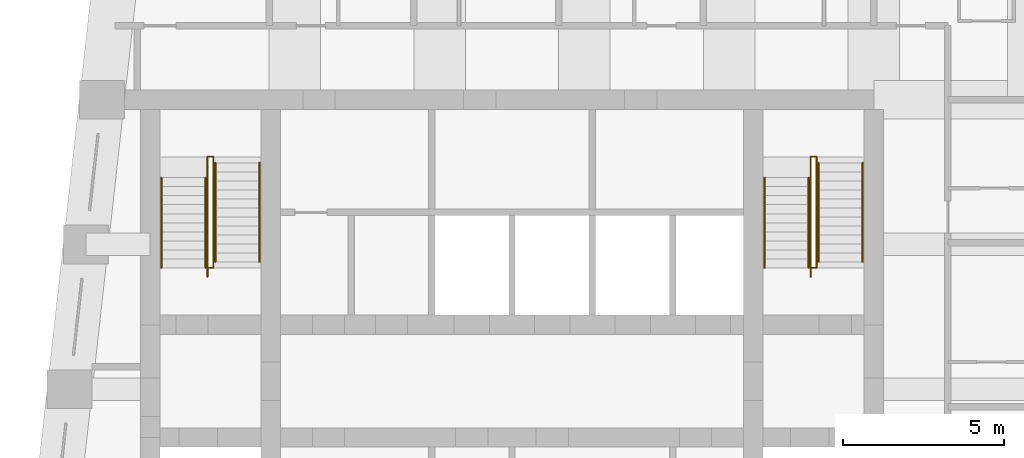
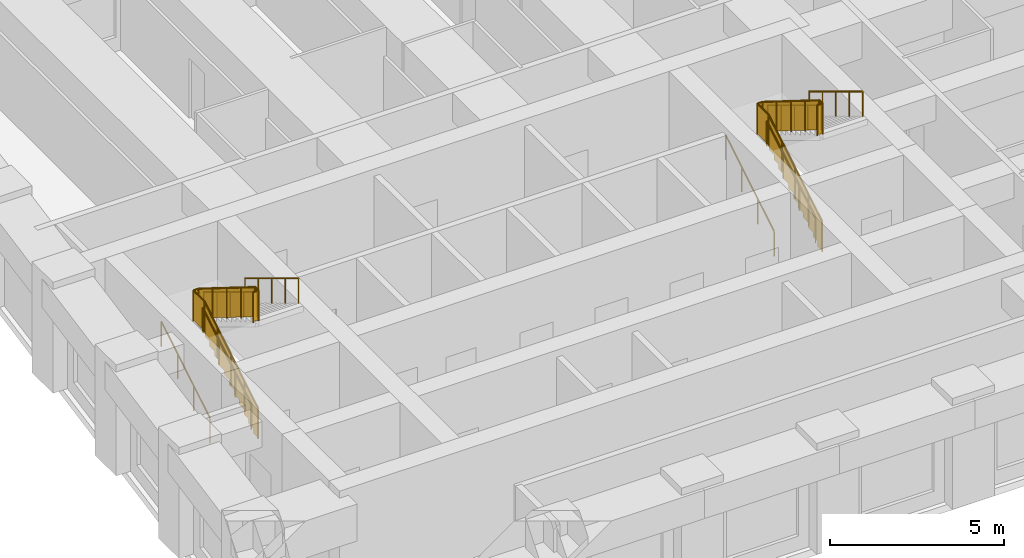
# One storey, part 7 of 7: 12 railings.
"""IFC4 building model written with IfcOpenShell, lengths in metres."""

from ifc_helpers import new_model, si_unit, direction, frame, origin, origin_2d, place, context, subcontext, project, spatial, polyline, circle, outline, extrude, material, type_object, element, save


model = new_model("IFC4")

# Units and contexts
model_context = context("Model", 3, precision=1e-05, world=origin(), true_north=direction((0.0, 1.0)))
body_context = subcontext(model_context, "Body", "Model", "MODEL_VIEW")
ifc_project = project(units=[si_unit("LENGTHUNIT", "METRE"), si_unit("AREAUNIT", "SQUARE_METRE"), si_unit("VOLUMEUNIT", "CUBIC_METRE"), si_unit("PLANEANGLEUNIT", "RADIAN"), si_unit("MASSUNIT", "GRAM", prefix="KILO")], contexts=[model_context])

# Site, building, storey
site_placement = place(None, origin())
site = spatial("IfcSite", under=ifc_project, at=site_placement, CompositionType="ELEMENT")
building_placement = place(site_placement, origin())
building = spatial("IfcBuilding", under=site, at=building_placement, Name="Kilele Tower Hotel", CompositionType="ELEMENT")
storey_placement = place(building_placement, frame((0.0, 0.0, 270.199951171875)))
storey = spatial("IfcBuildingStorey", under=building, at=storey_placement, Name="L69", CompositionType="ELEMENT", Elevation=270.199951171875)

# Railings
ifc_material_1 = material(Name="Steel handrail", Category="steel")
railing_type_1 = type_object("IfcRailingType", Name="Handrail 900", PredefinedType="HANDRAIL", material=ifc_material_1)
for number, where, name in (
    (1, (13.85009765625, 21.77490234375, 0.169677734375), "Handrail ST1 flight 1"),
    (2, (15.22509765625, 21.77490234375, 0.169677734375), "Handrail ST1 flight 1"),
):
    element("IfcRailing", number, at=place(storey_placement, frame(where)), inside=storey, type_object=railing_type_1, Name=name, PredefinedType="HANDRAIL", context=body_context, shape_type="SweptSolid", body=[
        extrude(circle(Radius=0.02490234375, at=origin_2d()), frame((0.0, 0.0, 0.875), z_axis=(0.0, 0.855393119324, 0.517979354234), x_axis=(-1.0, 0.0, 0.0)), (0.0, 0.0, 1.0), 3.2734375),
        extrude(circle(Radius=0.02001953125, at=origin_2d()), origin(), (0.0, 0.0, 1.0), 0.849853515625),
        extrude(circle(Radius=0.02001953125, at=origin_2d()), frame((0.0, 0.933349609375, 0.565185546875)), (0.0, 0.0, 1.0), 0.849853515625),
        extrude(circle(Radius=0.02001953125, at=origin_2d()), frame((0.0, 1.86669921875, 1.13037109375)), (0.0, 0.0, 1.0), 0.849853515625),
        extrude(circle(Radius=0.02001953125, at=origin_2d()), frame((0.0, 2.800048828125, 1.695556640625)), (0.0, 0.0, 1.0), 0.849853515625),
    ])
for number, where, name in (
    (3, (15.52490234375, 25.0400390625, 2.034912109375), "Handrail ST1 flight 2"),
    (4, (16.89990234375, 25.0400390625, 2.034912109375), "Handrail ST1 flight 2"),
):
    element("IfcRailing", number, at=place(storey_placement, frame(where)), inside=storey, type_object=railing_type_1, Name=name, PredefinedType="HANDRAIL", context=body_context, shape_type="SweptSolid", body=[
        extrude(circle(Radius=0.02490234375, at=origin_2d()), frame((0.0, 0.0, 0.875), z_axis=(0.0, -0.855379917629, 0.518001154937), x_axis=(1.0, 0.0, 0.0)), (0.0, 0.0, 1.0), 3.600830078125),
        extrude(circle(Radius=0.02001953125, at=origin_2d()), origin(), (0.0, 0.0, 1.0), 0.849853515625),
        extrude(circle(Radius=0.02001953125, at=origin_2d()), frame((0.0, -0.77001953125, 0.46630859375)), (0.0, 0.0, 1.0), 0.849853515625),
        extrude(circle(Radius=0.02001953125, at=origin_2d()), frame((0.0, -1.5400390625, 0.9326171875)), (0.0, 0.0, 1.0), 0.849853515625),
        extrude(circle(Radius=0.02001953125, at=origin_2d()), frame((0.0, -2.31005859375, 1.39892578125)), (0.0, 0.0, 1.0), 0.849853515625),
        extrude(circle(Radius=0.02001953125, at=origin_2d()), frame((0.0, -3.080078125, 1.865234375)), (0.0, 0.0, 1.0), 0.849853515625),
    ])
for number, where, name in (
    (5, (32.60009765625, 21.77490234375, 0.169677734375), "Handrail ST2 flight 1"),
    (6, (33.97509765625, 21.77490234375, 0.169677734375), "Handrail ST2 flight 1"),
):
    element("IfcRailing", number, at=place(storey_placement, frame(where)), inside=storey, type_object=railing_type_1, Name=name, PredefinedType="HANDRAIL", context=body_context, shape_type="SweptSolid", body=[
        extrude(circle(Radius=0.02490234375, at=origin_2d()), frame((0.0, 0.0, 0.875), z_axis=(0.0, 0.855393119324, 0.517979354234), x_axis=(-1.0, 0.0, 0.0)), (0.0, 0.0, 1.0), 3.2734375),
        extrude(circle(Radius=0.02001953125, at=origin_2d()), origin(), (0.0, 0.0, 1.0), 0.849853515625),
        extrude(circle(Radius=0.02001953125, at=origin_2d()), frame((0.0, 0.933349609375, 0.565185546875)), (0.0, 0.0, 1.0), 0.849853515625),
        extrude(circle(Radius=0.02001953125, at=origin_2d()), frame((0.0, 1.86669921875, 1.13037109375)), (0.0, 0.0, 1.0), 0.849853515625),
        extrude(circle(Radius=0.02001953125, at=origin_2d()), frame((0.0, 2.800048828125, 1.695556640625)), (0.0, 0.0, 1.0), 0.849853515625),
    ])
for number, where, name in (
    (7, (34.27490234375, 25.0400390625, 2.034912109375), "Handrail ST2 flight 2"),
    (8, (35.64990234375, 25.0400390625, 2.034912109375), "Handrail ST2 flight 2"),
):
    element("IfcRailing", number, at=place(storey_placement, frame(where)), inside=storey, type_object=railing_type_1, Name=name, PredefinedType="HANDRAIL", context=body_context, shape_type="SweptSolid", body=[
        extrude(circle(Radius=0.02490234375, at=origin_2d()), frame((0.0, 0.0, 0.875), z_axis=(0.0, -0.855379917629, 0.518001154937), x_axis=(1.0, 0.0, 0.0)), (0.0, 0.0, 1.0), 3.600830078125),
        extrude(circle(Radius=0.02001953125, at=origin_2d()), origin(), (0.0, 0.0, 1.0), 0.849853515625),
        extrude(circle(Radius=0.02001953125, at=origin_2d()), frame((0.0, -0.77001953125, 0.46630859375)), (0.0, 0.0, 1.0), 0.849853515625),
        extrude(circle(Radius=0.02001953125, at=origin_2d()), frame((0.0, -1.5400390625, 0.9326171875)), (0.0, 0.0, 1.0), 0.849853515625),
        extrude(circle(Radius=0.02001953125, at=origin_2d()), frame((0.0, -2.31005859375, 1.39892578125)), (0.0, 0.0, 1.0), 0.849853515625),
        extrude(circle(Radius=0.02001953125, at=origin_2d()), frame((0.0, -3.080078125, 1.865234375)), (0.0, 0.0, 1.0), 0.849853515625),
    ])
ifc_material_2 = material(Name="Steel guard", Category="steel")
railing_type_2 = type_object("IfcRailingType", Name="Stair guard 1100", PredefinedType="GUARDRAIL", material=ifc_material_2)
railing_1_placement = place(storey_placement, frame((15.284912109375, 21.4951171875, 0.0)))
element("IfcRailing", 9, at=railing_1_placement, inside=storey, type_object=railing_type_2, Name="Stair well guard ST1 flight 1", PredefinedType="GUARDRAIL", context=body_context, shape_type="SweptSolid", body=[
    extrude(circle(Radius=0.02490234375, at=origin_2d()), frame((0.0, 0.0, 1.0751953125), z_axis=(0.0, 0.855361723277, 0.518031198243), x_axis=(-1.0, 0.0, 0.0)), (0.0, 0.0, 1.0), 3.6005859375),
    extrude(circle(Radius=0.02490234375, at=origin_2d()), frame((0.0, 3.079833984375, 2.9404296875), z_axis=(0.0, 1.0, 0.0), x_axis=(-1.0, 0.0, 0.0)), (0.0, 0.0, 1.0), 0.650146484375),
    extrude(circle(Radius=0.02490234375, at=origin_2d()), frame((0.0, 3.72998046875, 2.9404296875), z_axis=(1.0, 0.0, 0.0), x_axis=(0.0, 1.0, 0.0)), (0.0, 0.0, 1.0), 0.18017578125),
    extrude(circle(Radius=0.02490234375, at=origin_2d()), origin(), (0.0, 0.0, 1.0), 1.050048828125),
    extrude(circle(Radius=0.02490234375, at=origin_2d()), frame((0.0, 0.77001953125, 0.46630859375)), (0.0, 0.0, 1.0), 1.050048828125),
    extrude(circle(Radius=0.02490234375, at=origin_2d()), frame((0.0, 1.5400390625, 0.9326171875)), (0.0, 0.0, 1.0), 1.050048828125),
    extrude(circle(Radius=0.02490234375, at=origin_2d()), frame((0.0, 2.309814453125, 1.39892578125)), (0.0, 0.0, 1.0), 1.050048828125),
    extrude(circle(Radius=0.02490234375, at=origin_2d()), frame((0.0, 3.079833984375, 1.865234375)), (0.0, 0.0, 1.0), 1.050048828125),
    extrude(circle(Radius=0.02490234375, at=origin_2d()), frame((0.0, 3.72998046875, 1.865234375)), (0.0, 0.0, 1.0), 1.050048828125),
    extrude(circle(Radius=0.02490234375, at=origin_2d()), frame((0.18017578125, 3.72998046875, 1.865234375)), (0.0, 0.0, 1.0), 1.050048828125),
    extrude(outline(polyline([(0.012451171875, 0.030029296875), (0.25, 0.030029296875), (0.25, 0.19970703125), (0.530029296875, 0.19970703125), (0.530029296875, 0.369140625), (0.809814453125, 0.369140625), (0.809814453125, 0.538818359375), (1.08984375, 0.538818359375), (1.08984375, 0.708251953125), (1.369873046875, 0.708251953125), (1.369873046875, 0.8779296875), (1.64990234375, 0.8779296875), (1.64990234375, 1.04736328125), (1.929931640625, 1.04736328125), (1.929931640625, 1.217041015625), (2.2099609375, 1.217041015625), (2.2099609375, 1.386474609375), (2.48974609375, 1.386474609375), (2.48974609375, 1.55615234375), (2.769775390625, 1.55615234375), (2.769775390625, 1.7255859375), (3.0498046875, 1.7255859375), (3.0498046875, 1.895263671875), (3.0673828125, 1.895263671875), (3.0673828125, 2.903564453125), (0.012451171875, 1.053466796875), (0.012451171875, 0.030029296875)])), frame((-0.005859375, 0.0, 0.0), z_axis=(1.0, 0.0, 0.0), x_axis=(0.0, 1.0, 0.0)), (0.0, 0.0, 1.0), 0.011962890625),
    extrude(outline(polyline([(0.012451171875, 0.030029296875), (0.6376953125, 0.030029296875), (0.6376953125, 1.050048828125), (0.012451171875, 1.050048828125), (0.012451171875, 0.030029296875)])), frame((-0.005859375, 3.079833984375, 1.865234375), z_axis=(1.0, 0.0, 0.0), x_axis=(0.0, 1.0, 0.0)), (0.0, 0.0, 1.0), 0.011962890625),
    extrude(outline(polyline([(0.012451171875, 0.030029296875), (0.18017578125, 0.030029296875), (0.18017578125, 1.050048828125), (0.012451171875, 1.050048828125), (0.012451171875, 0.030029296875)])), frame((0.0, 3.73583984375, 1.865234375), z_axis=(0.0, -1.0, 0.0), x_axis=(1.0, 0.0, 0.0)), (0.0, 0.0, 1.0), 0.011962890625),
])
railing_2_placement = place(storey_placement, frame((15.465087890625, 25.22509765625, 1.865234375)))
element("IfcRailing", 10, at=railing_2_placement, inside=storey, type_object=railing_type_2, Name="Stair well guard ST1 flight 2", PredefinedType="GUARDRAIL", context=body_context, shape_type="SweptSolid", body=[
    extrude(circle(Radius=0.02490234375, at=origin_2d()), frame((0.0, 0.0, 1.0751953125), z_axis=(0.0, -0.848674962302, 0.528914745834), x_axis=(1.0, 0.0, 0.0)), (0.0, 0.0, 1.0), 3.847412109375),
    extrude(circle(Radius=0.02490234375, at=origin_2d()), frame((0.0, -3.26513671875, 3.10986328125), z_axis=(0.0, -1.0, 0.0), x_axis=(1.0, 0.0, 0.0)), (0.0, 0.0, 1.0), 0.18505859375),
    extrude(circle(Radius=0.02490234375, at=origin_2d()), frame((0.0, -3.4501953125, 3.10986328125), z_axis=(-1.0, 0.0, 0.0), x_axis=(0.0, -1.0, 0.0)), (0.0, 0.0, 1.0), 0.18017578125),
    extrude(circle(Radius=0.02490234375, at=origin_2d()), origin(), (0.0, 0.0, 1.0), 1.050048828125),
    extrude(circle(Radius=0.02490234375, at=origin_2d()), frame((0.0, -0.81640625, 0.5087890625)), (0.0, 0.0, 1.0), 1.050048828125),
    extrude(circle(Radius=0.02490234375, at=origin_2d()), frame((0.0, -1.632568359375, 1.017578125)), (0.0, 0.0, 1.0), 1.050048828125),
    extrude(circle(Radius=0.02490234375, at=origin_2d()), frame((0.0, -2.44873046875, 1.526123046875)), (0.0, 0.0, 1.0), 1.050048828125),
    extrude(circle(Radius=0.02490234375, at=origin_2d()), frame((0.0, -3.26513671875, 2.034912109375)), (0.0, 0.0, 1.0), 1.050048828125),
    extrude(circle(Radius=0.02490234375, at=origin_2d()), frame((0.0, -3.4501953125, 2.034912109375)), (0.0, 0.0, 1.0), 1.050048828125),
    extrude(circle(Radius=0.02490234375, at=origin_2d()), frame((-0.18017578125, -3.4501953125, 2.034912109375)), (0.0, 0.0, 1.0), 1.050048828125),
    extrude(outline(polyline([(0.0, 0.030029296875), (3.252685546875, 2.05712890625), (3.252685546875, 3.07275390625), (0.0, 1.045654296875), (0.0, 0.030029296875)])), frame((0.005859375, 0.0, 0.0), z_axis=(-1.0, 0.0, 0.0), x_axis=(0.0, -1.0, 0.0)), (0.0, 0.0, 1.0), 0.011962890625),
    extrude(outline(polyline([(0.012451171875, 0.030029296875), (0.172607421875, 0.030029296875), (0.172607421875, 1.050048828125), (0.012451171875, 1.050048828125), (0.012451171875, 0.030029296875)])), frame((0.005859375, -3.26513671875, 2.034912109375), z_axis=(-1.0, 0.0, 0.0), x_axis=(0.0, -1.0, 0.0)), (0.0, 0.0, 1.0), 0.011962890625),
    extrude(outline(polyline([(0.012451171875, 0.030029296875), (0.18017578125, 0.030029296875), (0.18017578125, 1.050048828125), (0.012451171875, 1.050048828125), (0.012451171875, 0.030029296875)])), frame((0.0, -3.4560546875, 2.034912109375), z_axis=(0.0, 1.0, 0.0), x_axis=(-1.0, 0.0, 0.0)), (0.0, 0.0, 1.0), 0.011962890625),
])
railing_3_placement = place(storey_placement, frame((34.034912109375, 21.4951171875, 0.0)))
element("IfcRailing", 11, at=railing_3_placement, inside=storey, type_object=railing_type_2, Name="Stair well guard ST2 flight 1", PredefinedType="GUARDRAIL", context=body_context, shape_type="SweptSolid", body=[
    extrude(circle(Radius=0.02490234375, at=origin_2d()), frame((0.0, 0.0, 1.0751953125), z_axis=(0.0, 0.855361723277, 0.518031198243), x_axis=(-1.0, 0.0, 0.0)), (0.0, 0.0, 1.0), 3.6005859375),
    extrude(circle(Radius=0.02490234375, at=origin_2d()), frame((0.0, 3.079833984375, 2.9404296875), z_axis=(0.0, 1.0, 0.0), x_axis=(-1.0, 0.0, 0.0)), (0.0, 0.0, 1.0), 0.650146484375),
    extrude(circle(Radius=0.02490234375, at=origin_2d()), frame((0.0, 3.72998046875, 2.9404296875), z_axis=(1.0, 0.0, 0.0), x_axis=(0.0, 1.0, 0.0)), (0.0, 0.0, 1.0), 0.18017578125),
    extrude(circle(Radius=0.02490234375, at=origin_2d()), origin(), (0.0, 0.0, 1.0), 1.050048828125),
    extrude(circle(Radius=0.02490234375, at=origin_2d()), frame((0.0, 0.77001953125, 0.46630859375)), (0.0, 0.0, 1.0), 1.050048828125),
    extrude(circle(Radius=0.02490234375, at=origin_2d()), frame((0.0, 1.5400390625, 0.9326171875)), (0.0, 0.0, 1.0), 1.050048828125),
    extrude(circle(Radius=0.02490234375, at=origin_2d()), frame((0.0, 2.309814453125, 1.39892578125)), (0.0, 0.0, 1.0), 1.050048828125),
    extrude(circle(Radius=0.02490234375, at=origin_2d()), frame((0.0, 3.079833984375, 1.865234375)), (0.0, 0.0, 1.0), 1.050048828125),
    extrude(circle(Radius=0.02490234375, at=origin_2d()), frame((0.0, 3.72998046875, 1.865234375)), (0.0, 0.0, 1.0), 1.050048828125),
    extrude(circle(Radius=0.02490234375, at=origin_2d()), frame((0.18017578125, 3.72998046875, 1.865234375)), (0.0, 0.0, 1.0), 1.050048828125),
    extrude(outline(polyline([(0.012451171875, 0.030029296875), (0.25, 0.030029296875), (0.25, 0.19970703125), (0.530029296875, 0.19970703125), (0.530029296875, 0.369140625), (0.809814453125, 0.369140625), (0.809814453125, 0.538818359375), (1.08984375, 0.538818359375), (1.08984375, 0.708251953125), (1.369873046875, 0.708251953125), (1.369873046875, 0.8779296875), (1.64990234375, 0.8779296875), (1.64990234375, 1.04736328125), (1.929931640625, 1.04736328125), (1.929931640625, 1.217041015625), (2.2099609375, 1.217041015625), (2.2099609375, 1.386474609375), (2.48974609375, 1.386474609375), (2.48974609375, 1.55615234375), (2.769775390625, 1.55615234375), (2.769775390625, 1.7255859375), (3.0498046875, 1.7255859375), (3.0498046875, 1.895263671875), (3.0673828125, 1.895263671875), (3.0673828125, 2.903564453125), (0.012451171875, 1.053466796875), (0.012451171875, 0.030029296875)])), frame((-0.005859375, 0.0, 0.0), z_axis=(1.0, 0.0, 0.0), x_axis=(0.0, 1.0, 0.0)), (0.0, 0.0, 1.0), 0.011962890625),
    extrude(outline(polyline([(0.012451171875, 0.030029296875), (0.6376953125, 0.030029296875), (0.6376953125, 1.050048828125), (0.012451171875, 1.050048828125), (0.012451171875, 0.030029296875)])), frame((-0.005859375, 3.079833984375, 1.865234375), z_axis=(1.0, 0.0, 0.0), x_axis=(0.0, 1.0, 0.0)), (0.0, 0.0, 1.0), 0.011962890625),
    extrude(outline(polyline([(0.012451171875, 0.030029296875), (0.18017578125, 0.030029296875), (0.18017578125, 1.050048828125), (0.012451171875, 1.050048828125), (0.012451171875, 0.030029296875)])), frame((0.0, 3.73583984375, 1.865234375), z_axis=(0.0, -1.0, 0.0), x_axis=(1.0, 0.0, 0.0)), (0.0, 0.0, 1.0), 0.011962890625),
])
railing_4_placement = place(storey_placement, frame((34.215087890625, 25.22509765625, 1.865234375)))
element("IfcRailing", 12, at=railing_4_placement, inside=storey, type_object=railing_type_2, Name="Stair well guard ST2 flight 2", PredefinedType="GUARDRAIL", context=body_context, shape_type="SweptSolid", body=[
    extrude(circle(Radius=0.02490234375, at=origin_2d()), frame((0.0, 0.0, 1.0751953125), z_axis=(0.0, -0.848674962302, 0.528914745834), x_axis=(1.0, 0.0, 0.0)), (0.0, 0.0, 1.0), 3.847412109375),
    extrude(circle(Radius=0.02490234375, at=origin_2d()), frame((0.0, -3.26513671875, 3.10986328125), z_axis=(0.0, -1.0, 0.0), x_axis=(1.0, 0.0, 0.0)), (0.0, 0.0, 1.0), 0.18505859375),
    extrude(circle(Radius=0.02490234375, at=origin_2d()), frame((0.0, -3.4501953125, 3.10986328125), z_axis=(-1.0, 0.0, 0.0), x_axis=(0.0, -1.0, 0.0)), (0.0, 0.0, 1.0), 0.18017578125),
    extrude(circle(Radius=0.02490234375, at=origin_2d()), origin(), (0.0, 0.0, 1.0), 1.050048828125),
    extrude(circle(Radius=0.02490234375, at=origin_2d()), frame((0.0, -0.81640625, 0.5087890625)), (0.0, 0.0, 1.0), 1.050048828125),
    extrude(circle(Radius=0.02490234375, at=origin_2d()), frame((0.0, -1.632568359375, 1.017578125)), (0.0, 0.0, 1.0), 1.050048828125),
    extrude(circle(Radius=0.02490234375, at=origin_2d()), frame((0.0, -2.44873046875, 1.526123046875)), (0.0, 0.0, 1.0), 1.050048828125),
    extrude(circle(Radius=0.02490234375, at=origin_2d()), frame((0.0, -3.26513671875, 2.034912109375)), (0.0, 0.0, 1.0), 1.050048828125),
    extrude(circle(Radius=0.02490234375, at=origin_2d()), frame((0.0, -3.4501953125, 2.034912109375)), (0.0, 0.0, 1.0), 1.050048828125),
    extrude(circle(Radius=0.02490234375, at=origin_2d()), frame((-0.18017578125, -3.4501953125, 2.034912109375)), (0.0, 0.0, 1.0), 1.050048828125),
    extrude(outline(polyline([(0.0, 0.030029296875), (3.252685546875, 2.05712890625), (3.252685546875, 3.07275390625), (0.0, 1.045654296875), (0.0, 0.030029296875)])), frame((0.005859375, 0.0, 0.0), z_axis=(-1.0, 0.0, 0.0), x_axis=(0.0, -1.0, 0.0)), (0.0, 0.0, 1.0), 0.011962890625),
    extrude(outline(polyline([(0.012451171875, 0.030029296875), (0.172607421875, 0.030029296875), (0.172607421875, 1.050048828125), (0.012451171875, 1.050048828125), (0.012451171875, 0.030029296875)])), frame((0.005859375, -3.26513671875, 2.034912109375), z_axis=(-1.0, 0.0, 0.0), x_axis=(0.0, -1.0, 0.0)), (0.0, 0.0, 1.0), 0.011962890625),
    extrude(outline(polyline([(0.012451171875, 0.030029296875), (0.18017578125, 0.030029296875), (0.18017578125, 1.050048828125), (0.012451171875, 1.050048828125), (0.012451171875, 0.030029296875)])), frame((0.0, -3.4560546875, 2.034912109375), z_axis=(0.0, 1.0, 0.0), x_axis=(-1.0, 0.0, 0.0)), (0.0, 0.0, 1.0), 0.011962890625),
])

save(model, "model.ifc")
